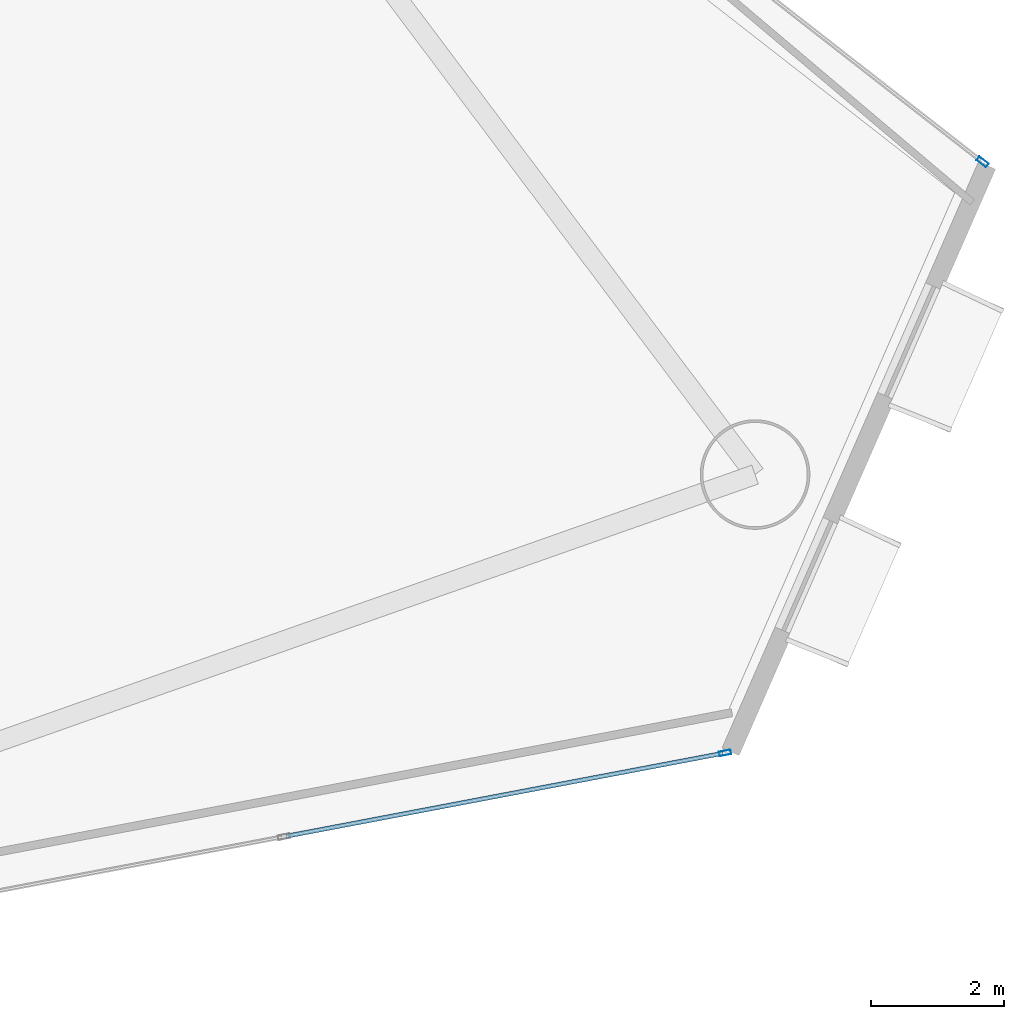
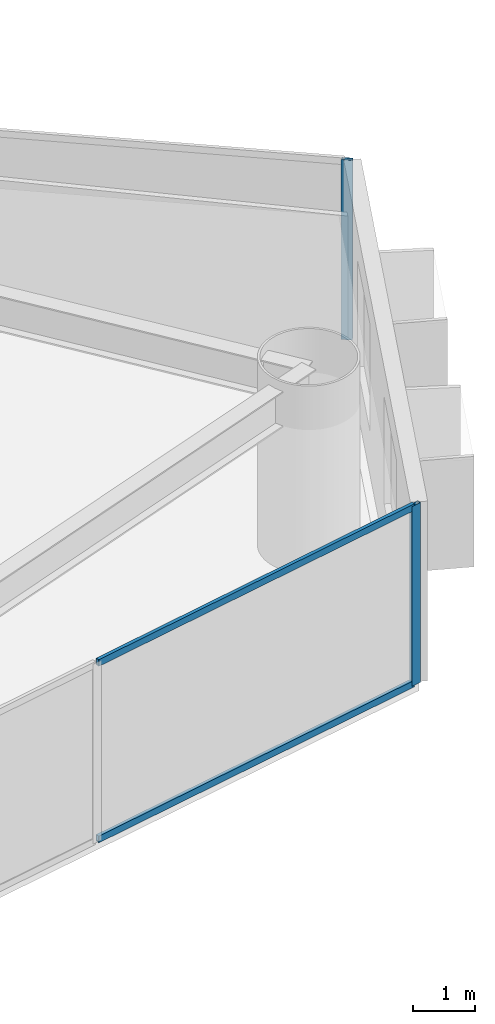
# One storey, part 12 of 23: 4 members, 2 elements without a shape of their own.
"""IFC4 building model written with IfcOpenShell, lengths in metres."""

from ifc_helpers import new_model, si_unit, direction, frame, origin, origin_2d, place, context, subcontext, project, spatial, hollow_rectangle, extrude, material, layer, layer_set, material_profile, profile_set, type_object, element, aggregate, save


model = new_model("IFC4")

# Units and contexts
model_context = context("Model", 3, precision=1e-05, world=origin(), true_north=direction((0.0, 1.0)))
body_context = subcontext(model_context, "Body", "Model", "MODEL_VIEW")
ifc_project = project(units=[si_unit("LENGTHUNIT", "METRE"), si_unit("AREAUNIT", "SQUARE_METRE"), si_unit("VOLUMEUNIT", "CUBIC_METRE"), si_unit("PLANEANGLEUNIT", "RADIAN"), si_unit("MASSUNIT", "GRAM", prefix="KILO")], contexts=[model_context])

# Site, building, storey
site_placement = place(None, origin())
site = spatial("IfcSite", under=ifc_project, at=site_placement, CompositionType="ELEMENT")
building_placement = place(site_placement, origin())
building = spatial("IfcBuilding", under=site, at=building_placement, Name="Qianvela Tower", CompositionType="ELEMENT")
storey_placement = place(building_placement, frame((0.0, 0.0, 85.800048828125)))
storey = spatial("IfcBuildingStorey", under=building, at=storey_placement, Name="L21", CompositionType="ELEMENT", Elevation=85.800048828125)

# Curtain wall, member
ifc_material_1 = material(Name="Anodised Architectural Aluminium and Low-E Glass", Category="aluminium")
ifc_layer = layer(ifc_material_1, 0.179931640625)
ifc_layer_set = layer_set([ifc_layer], Name="Anodised Architectural Aluminium and Low-E Glass")
curtain_wall_type = type_object("IfcCurtainWallType", Name="CW-COLIV-Z12", PredefinedType="USERDEFINED", material=ifc_layer_set)
curtain_wall_1_placement = place(storey_placement, origin())
curtain_wall_1 = element("IfcCurtainWall", 1, at=curtain_wall_1_placement, inside=storey, type_object=curtain_wall_type, Name="L21 CW-COLIV-Z12 Curtain Wall 02A", ObjectType="CURTAIN_WALL_SYSTEM", PredefinedType="USERDEFINED")
ifc_material_2 = material(Name="Anodised Architectural Aluminium 6063-T6", Category="aluminium")
ifc_material_profile_1 = material_profile(ifc_material_2, hollow_rectangle(XDim=0.070068359375, YDim=0.179931640625, WallThickness=0.0048828125, at=origin_2d()), Name="ALU-MULL-70x180")
ifc_profile_set_1 = profile_set([ifc_material_profile_1], Name="Anodised Architectural Aluminium 6063-T6")
member_type_1 = type_object("IfcMemberType", Name="CW-COLIV-Z12-MULL", PredefinedType="MULLION", material=ifc_profile_set_1)
member_1_placement = place(storey_placement, frame((59.624267578125, 25.17431640625, 0.0), z_axis=(0.0, 0.0, 1.0), x_axis=(-0.615013700656, -0.788516422153, 0.0)))
member_1 = element("IfcMember", 2, at=member_1_placement, type_object=member_type_1, Name="CW-3 mullion 1", PredefinedType="MULLION", context=body_context, shape_type="SweptSolid", body=[
    extrude(hollow_rectangle(XDim=0.070068359375, YDim=0.179931640625, WallThickness=0.0048828125, at=origin_2d()), origin(), (0.0, 0.0, 1.0), 3.52001953125),
])
aggregate(curtain_wall_1, [member_1])

# Curtain wall, members
curtain_wall_2_placement = place(storey_placement, origin())
curtain_wall_2 = element("IfcCurtainWall", 3, at=curtain_wall_2_placement, inside=storey, type_object=curtain_wall_type, Name="L21 CW-COLIV-Z12 Curtain Wall 06C", ObjectType="CURTAIN_WALL_SYSTEM", PredefinedType="USERDEFINED")
member_2_placement = place(storey_placement, frame((55.74658203125, 16.278076171875, 0.0), z_axis=(0.0, 0.0, 1.0), x_axis=(-0.186581274279, 0.982439528973, 0.0)))
member_2 = element("IfcMember", 4, at=member_2_placement, type_object=member_type_1, Name="CW-3 mullion 3", PredefinedType="MULLION", context=body_context, shape_type="SweptSolid", body=[
    extrude(hollow_rectangle(XDim=0.070068359375, YDim=0.179931640625, WallThickness=0.0048828125, at=origin_2d()), origin(), (0.0, 0.0, 1.0), 3.52001953125),
])
ifc_material_3 = material(Name="Anodised Architectural Aluminium 6063-T6", Category="aluminium")
ifc_material_profile_2 = material_profile(ifc_material_3, hollow_rectangle(XDim=0.06494140625, YDim=0.1298828125, WallThickness=0.00439453125, at=origin_2d()), Name="ALU-TRAN-65x130")
ifc_profile_set_2 = profile_set([ifc_material_profile_2], Name="Anodised Architectural Aluminium 6063-T6")
member_type_2 = type_object("IfcMemberType", Name="CW-COLIV-Z12-TRAN", PredefinedType="USERDEFINED", material=ifc_profile_set_2)
member_3_placement = place(storey_placement, frame((49.143310546875, 15.024169921875, 0.032470703125), z_axis=(0.98243877801, 0.186585228411, 0.0), x_axis=(-0.186585228411, 0.98243877801, 0.0)))
member_3 = element("IfcMember", 5, at=member_3_placement, type_object=member_type_2, Name="CW-3 transom 2.1", ObjectType="TRANSOM", PredefinedType="USERDEFINED", context=body_context, shape_type="SweptSolid", body=[
    extrude(hollow_rectangle(XDim=0.06494140625, YDim=0.1298828125, WallThickness=0.00439453125, at=origin_2d()), origin(), (0.0, 0.0, 1.0), 6.686279296875),
])
member_4_placement = place(storey_placement, frame((49.143310546875, 15.024169921875, 3.487548828125), z_axis=(0.98243877801, 0.186585228411, 0.0), x_axis=(-0.186585228411, 0.98243877801, 0.0)))
member_4 = element("IfcMember", 6, at=member_4_placement, type_object=member_type_2, Name="CW-3 transom 2.2", ObjectType="TRANSOM", PredefinedType="USERDEFINED", context=body_context, shape_type="SweptSolid", body=[
    extrude(hollow_rectangle(XDim=0.06494140625, YDim=0.1298828125, WallThickness=0.00439453125, at=origin_2d()), origin(), (0.0, 0.0, 1.0), 6.686279296875),
])
aggregate(curtain_wall_2, [member_2, member_3, member_4])

save(model, "model.ifc")
